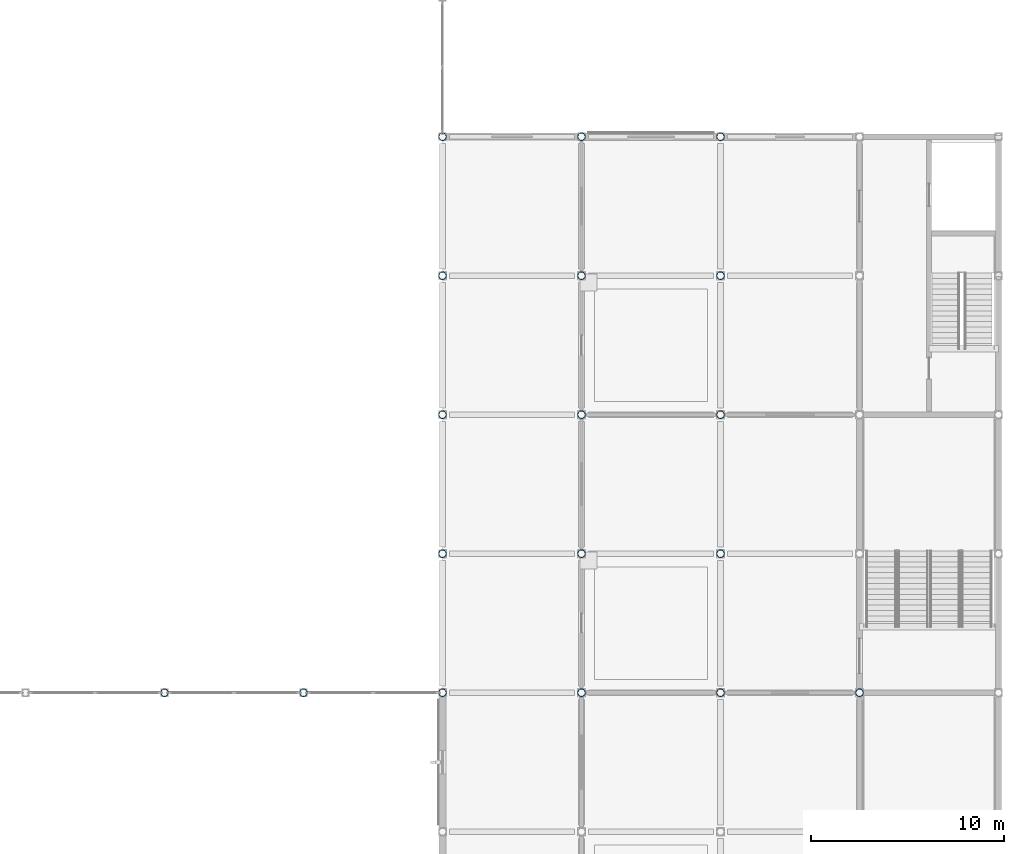
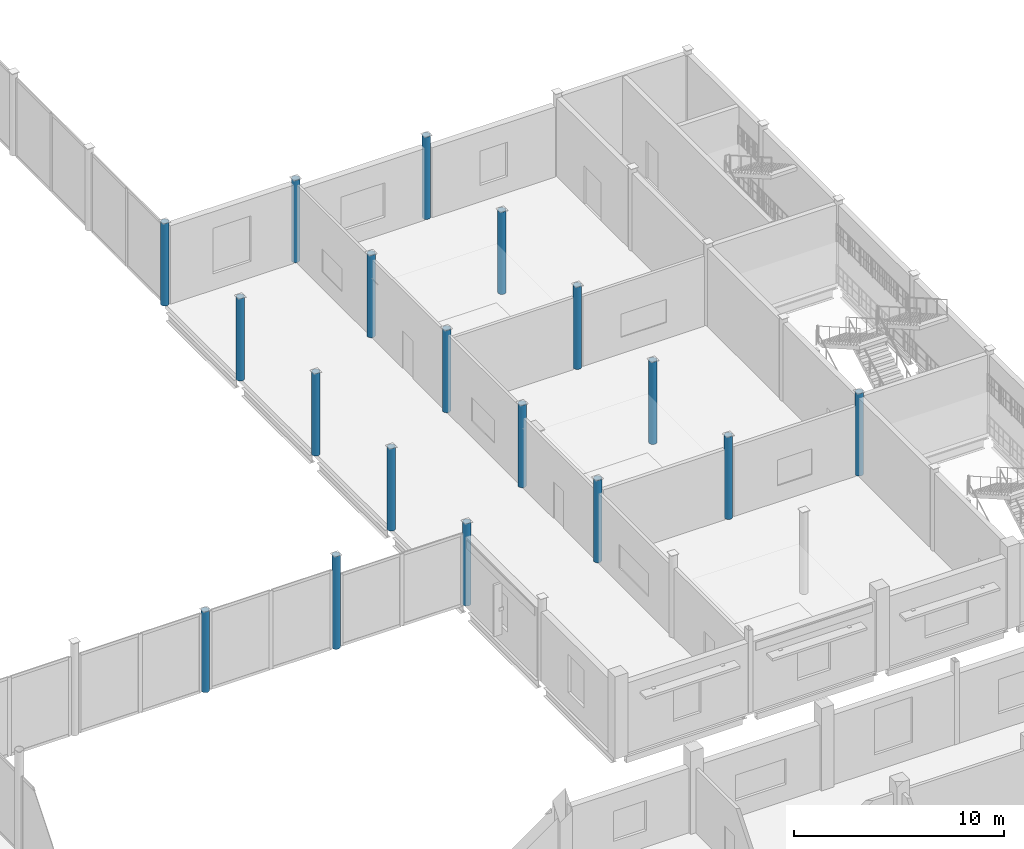
# One storey, part 15 of 120: 18 columns.
"""IFC4 building model written with IfcOpenShell, lengths in metres."""

from ifc_helpers import new_model, si_unit, direction, frame, origin, origin_2d, place, context, subcontext, project, spatial, hollow_circle, extrude, material, material_profile, profile_set, type_object, element, save


model = new_model("IFC4")

# Units and contexts
model_context = context("Model", 3, precision=1e-05, world=origin(), true_north=direction((0.0, 1.0)))
body_context = subcontext(model_context, "Body", "Model", "MODEL_VIEW")
ifc_project = project(units=[si_unit("LENGTHUNIT", "METRE"), si_unit("AREAUNIT", "SQUARE_METRE"), si_unit("VOLUMEUNIT", "CUBIC_METRE"), si_unit("PLANEANGLEUNIT", "RADIAN"), si_unit("MASSUNIT", "GRAM", prefix="KILO")], contexts=[model_context])

# Site, building, storey
site_placement = place(None, origin())
site = spatial("IfcSite", under=ifc_project, at=site_placement, CompositionType="ELEMENT")
building_placement = place(site_placement, origin())
building = spatial("IfcBuilding", under=site, at=building_placement, Name="Vesperath Aquatics Centre", CompositionType="ELEMENT")
storey_placement = place(building_placement, frame((0.0, 0.0, 10.199951171875)))
storey = spatial("IfcBuildingStorey", under=building, at=storey_placement, Name="L02", CompositionType="ELEMENT", Elevation=10.199951171875)

# Columns
ifc_material = material(Name="Steel Q355D", Category="steel")
ifc_material_profile = material_profile(ifc_material, hollow_circle(Radius=0.203125, WallThickness=0.01611328125, at=origin_2d()), Name="CHS 406.4x16")
ifc_profile_set = profile_set([ifc_material_profile], Name="Steel Q355D")
column_type = type_object("IfcColumnType", Name="CL-C14", PredefinedType="COLUMN", material=ifc_profile_set)
column_1_placement = place(storey_placement, frame((129.60009765625, 64.800048828125, 0.0), z_axis=(0.0, 0.0, 1.0), x_axis=(1.0, 0.0, 0.0)))
element("IfcColumn", 1, at=column_1_placement, inside=storey, type_object=column_type, Name="Column C14 L02 19/K", PredefinedType="COLUMN", context=body_context, shape_type="SweptSolid", body=[
    extrude(hollow_circle(Radius=0.203125, WallThickness=0.01611328125, at=origin_2d()), origin(), (0.0, 0.0, 1.0), 4.705078125),
])
column_2_placement = place(storey_placement, frame((136.800048828125, 64.800048828125, 0.0), z_axis=(0.0, 0.0, 1.0), x_axis=(1.0, 0.0, 0.0)))
element("IfcColumn", 2, at=column_2_placement, inside=storey, type_object=column_type, Name="Column C14 L02 20/K", PredefinedType="COLUMN", context=body_context, shape_type="SweptSolid", body=[
    extrude(hollow_circle(Radius=0.203125, WallThickness=0.01611328125, at=origin_2d()), origin(), (0.0, 0.0, 1.0), 5.405029296875),
])
for number, where, z_axis, x_axis, name in (
    (3, (144.0, 64.800048828125, 0.0), (0.0, 0.0, 1.0), (1.0, 0.0, 0.0), "Column C14 L02 21/K"),
    (4, (144.0, 72.0, 0.0), (0.0, 0.0, 1.0), (1.0, 0.0, 0.0), "Column C14 L02 21/L"),
    (5, (144.0, 79.199951171875, 0.0), (0.0, 0.0, 1.0), (1.0, 0.0, 0.0), "Column C14 L02 21/M"),
    (6, (144.0, 86.39990234375, 0.0), (0.0, 0.0, 1.0), (1.0, 0.0, 0.0), "Column C14 L02 21/N"),
    (7, (144.0, 93.60009765625, 0.0), (0.0, 0.0, 1.0), (1.0, 0.0, 0.0), "Column C14 L02 21/P"),
    (8, (151.199951171875, 64.800048828125, 0.0), (0.0, 0.0, 1.0), (1.0, 0.0, 0.0), "Column C14 L02 22/K"),
    (9, (151.199951171875, 72.0, 0.0), (0.0, 0.0, 1.0), (1.0, 0.0, 0.0), "Column C14 L02 22/L"),
    (10, (151.199951171875, 79.199951171875, 0.0), (0.0, 0.0, 1.0), (1.0, 0.0, 0.0), "Column C14 L02 22/M"),
    (11, (151.199951171875, 86.39990234375, 0.0), (0.0, 0.0, 1.0), (1.0, 0.0, 0.0), "Column C14 L02 22/N"),
    (12, (151.199951171875, 93.60009765625, 0.0), (0.0, 0.0, 1.0), (1.0, 0.0, 0.0), "Column C14 L02 22/P"),
    (13, (158.39990234375, 64.800048828125, 0.0), (0.0, 0.0, 1.0), (1.0, 0.0, 0.0), "Column C14 L02 23/K"),
    (14, (158.39990234375, 72.0, 0.0), (0.0, 0.0, 1.0), (1.0, 0.0, 0.0), "Column C14 L02 23/L"),
    (15, (158.39990234375, 79.199951171875, 0.0), (0.0, 0.0, 1.0), (1.0, 0.0, 0.0), "Column C14 L02 23/M"),
    (16, (158.39990234375, 86.39990234375, 0.0), (0.0, 0.0, 1.0), (1.0, 0.0, 0.0), "Column C14 L02 23/N"),
    (17, (158.39990234375, 93.60009765625, 0.0), (0.0, 0.0, 1.0), (1.0, 0.0, 0.0), "Column C14 L02 23/P"),
    (18, (165.60009765625, 64.800048828125, 0.0), (0.0, 0.0, 1.0), (1.0, 0.0, 0.0), "Column C14 L02 24/K"),
):
    element("IfcColumn", number, at=place(storey_placement, frame(where, z_axis=z_axis, x_axis=x_axis)), inside=storey, type_object=column_type, Name=name, PredefinedType="COLUMN", context=body_context, shape_type="SweptSolid", body=[
        extrude(hollow_circle(Radius=0.203125, WallThickness=0.01611328125, at=origin_2d()), origin(), (0.0, 0.0, 1.0), 4.800048828125),
    ])

save(model, "model.ifc")
